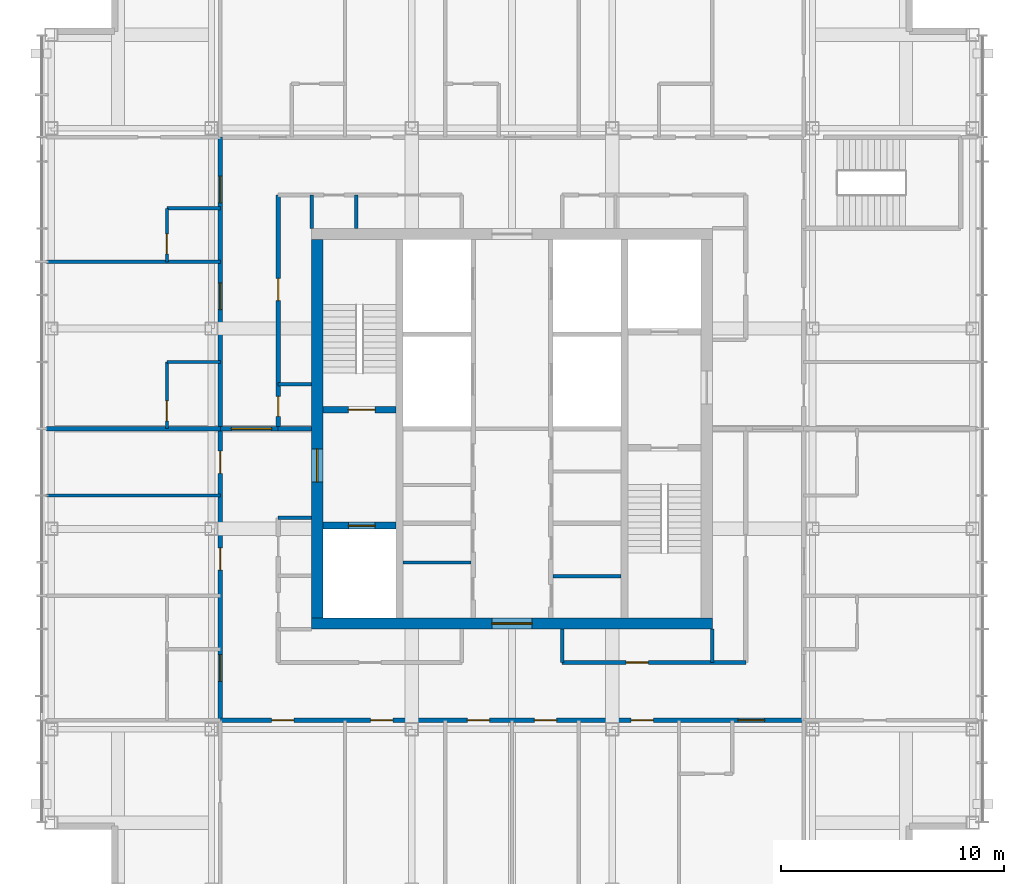
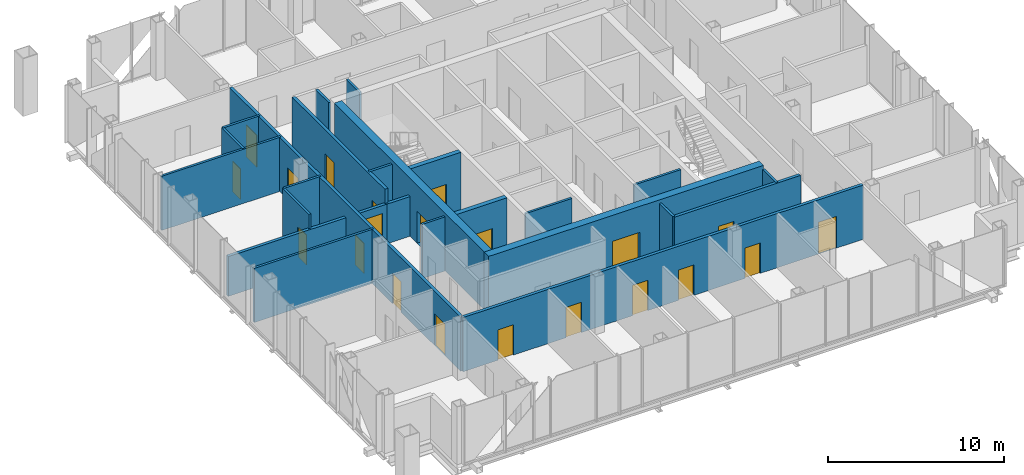
# One storey, part 8 of 16: 25 walls, 21 doors, 21 openings.
"""IFC4 building model written with IfcOpenShell, lengths in metres."""

from ifc_helpers import new_model, si_unit, direction, frame, frame_2d, origin, place, context, subcontext, project, spatial, rectangle, extrude, material, layer, layer_set, type_object, element, fill, save


model = new_model("IFC4")

# Units and contexts
model_context = context("Model", 3, precision=1e-05, world=origin(), true_north=direction((0.0, 1.0)))
body_context = subcontext(model_context, "Body", "Model", "MODEL_VIEW")
ifc_project = project(units=[si_unit("LENGTHUNIT", "METRE"), si_unit("AREAUNIT", "SQUARE_METRE"), si_unit("VOLUMEUNIT", "CUBIC_METRE"), si_unit("PLANEANGLEUNIT", "RADIAN"), si_unit("MASSUNIT", "GRAM", prefix="KILO")], contexts=[model_context])

# Site, building, storey
site_placement = place(None, origin())
site = spatial("IfcSite", under=ifc_project, at=site_placement, CompositionType="ELEMENT")
building_placement = place(site_placement, origin())
building = spatial("IfcBuilding", under=site, at=building_placement, Name="Malebo Sky Hospital", CompositionType="ELEMENT")
storey_placement = place(building_placement, frame((0.0, 0.0, 254.0)))
storey = spatial("IfcBuildingStorey", under=building, at=storey_placement, Name="L61", CompositionType="ELEMENT", Elevation=254.0)

# Wall, opening, door
ifc_material_1 = material(Name="Concrete C80/95", Category="concrete")
ifc_layer_1 = layer(ifc_material_1, 0.300048828125)
ifc_layer_set_1 = layer_set([ifc_layer_1], Name="CORE INNER WALL 300")
wall_type_1 = type_object("IfcWallType", Name="CORE INNER WALL 300", PredefinedType="SHEAR", material=ifc_layer_set_1)
wall_1_placement = place(storey_placement, frame((51.5, 62.85009765625, 0.0), z_axis=(0.0, 0.0, 1.0), x_axis=(1.0, 0.0, 0.0)))
wall_1 = element("IfcWall", 1, at=wall_1_placement, inside=storey, type_object=wall_type_1, Name="Core wall W1 L61", PredefinedType="SHEAR", context=body_context, shape_type="SweptSolid", body=[
    extrude(rectangle(XDim=3.300048828125, YDim=0.300048828125, at=frame_2d((1.64990234375, 0.0))), origin(), (0.0, 0.0, 1.0), 4.0),
])
opening_1_placement = place(wall_1_placement, frame((1.14990234375, 0.0, 0.0)))
opening_1 = element("IfcOpeningElement", 2, at=opening_1_placement, cuts=wall_1, Name="Opening D08", PredefinedType="OPENING", context=body_context, shape_type="SweptSolid", body=[
    extrude(rectangle(XDim=1.199951171875, YDim=2.10009765625, at=frame_2d((0.60009765625, 1.050048828125))), frame((0.0, 0.159912109375, 0.0), z_axis=(0.0, -1.0, 0.0), x_axis=(1.0, 0.0, 0.0)), (0.0, 0.0, 1.0), 0.320068359375),
])
ifc_material_2 = material(Name="Hardwood-faced door leaf in steel frame", Category="steel")
door_type_1 = type_object("IfcDoorType", Name="STAIR DOOR 1200", OperationType="SINGLE_SWING_LEFT", PredefinedType="DOOR", material=ifc_material_2)
door_1_placement = place(opening_1_placement, origin())
door_1 = element("IfcDoor", 3, at=door_1_placement, inside=storey, type_object=door_type_1, Name="Stair S1 door", OperationType="SINGLE_SWING_RIGHT", OverallHeight=2.10009765625, OverallWidth=1.199951171875, PredefinedType="DOOR", context=body_context, shape_type="SweptSolid", body=[
    extrude(rectangle(XDim=1.199951171875, YDim=2.10009765625, at=frame_2d((0.60009765625, 1.050048828125))), frame((0.0, 0.02490234375, 0.0), z_axis=(0.0, -1.0, 0.0), x_axis=(1.0, 0.0, 0.0)), (0.0, 0.0, 1.0), 0.050048828125),
])
fill(opening_1, door_1)

wall_2_placement = place(storey_placement, frame((51.5, 57.64990234375, 0.0), z_axis=(0.0, 0.0, 1.0), x_axis=(1.0, 0.0, 0.0)))
wall_2 = element("IfcWall", 4, at=wall_2_placement, inside=storey, type_object=wall_type_1, Name="Core wall W2 L61", PredefinedType="SHEAR", context=body_context, shape_type="SweptSolid", body=[
    extrude(rectangle(XDim=3.300048828125, YDim=0.300048828125, at=frame_2d((1.64990234375, 0.0))), origin(), (0.0, 0.0, 1.0), 4.0),
])
opening_2_placement = place(wall_2_placement, frame((1.14990234375, 0.0, 0.0)))
opening_2 = element("IfcOpeningElement", 5, at=opening_2_placement, cuts=wall_2, Name="Opening LD2", PredefinedType="OPENING", context=body_context, shape_type="SweptSolid", body=[
    extrude(rectangle(XDim=1.199951171875, YDim=2.199951171875, at=frame_2d((0.60009765625, 1.10009765625))), frame((0.0, 0.159912109375, 0.0), z_axis=(0.0, -1.0, 0.0), x_axis=(1.0, 0.0, 0.0)), (0.0, 0.0, 1.0), 0.320068359375),
])
ifc_material_3 = material(Name="Stainless steel sliding landing door", Category="steel")
door_type_2 = type_object("IfcDoorType", Name="FIRE-FIGHTING LIFT LANDING DOOR 1200", OperationType="SLIDING_TO_LEFT", PredefinedType="DOOR", material=ifc_material_3)
door_2_placement = place(opening_2_placement, origin())
door_2 = element("IfcDoor", 6, at=door_2_placement, inside=storey, type_object=door_type_2, Name="Lift FL1 landing door", OperationType="SLIDING_TO_LEFT", OverallHeight=2.199951171875, OverallWidth=1.199951171875, PredefinedType="DOOR", context=body_context, shape_type="SweptSolid", body=[
    extrude(rectangle(XDim=1.199951171875, YDim=2.199951171875, at=frame_2d((0.60009765625, 1.10009765625))), frame((0.0, 0.02490234375, 0.0), z_axis=(0.0, -1.0, 0.0), x_axis=(1.0, 0.0, 0.0)), (0.0, 0.0, 1.0), 0.050048828125),
])
fill(opening_2, door_2)

ifc_layer_2 = layer(ifc_material_1, 0.5)
ifc_layer_set_2 = layer_set([ifc_layer_2], Name="CORE WALL 500")
wall_type_2 = type_object("IfcWallType", Name="CORE WALL 500", PredefinedType="SHEAR", material=ifc_layer_set_2)
wall_3_placement = place(storey_placement, frame((51.0, 53.25, 0.0), z_axis=(0.0, 0.0, 1.0), x_axis=(1.0, 0.0, 0.0)))
wall_3 = element("IfcWall", 7, at=wall_3_placement, inside=storey, type_object=wall_type_2, Name="Core wall S L61", PredefinedType="SHEAR", context=body_context, shape_type="SweptSolid", body=[
    extrude(rectangle(XDim=18.0, YDim=0.5, at=frame_2d((9.0, 0.0))), origin(), (0.0, 0.0, 1.0), 4.0),
])
opening_3_placement = place(wall_3_placement, frame((8.10009765625, 0.0, 0.0)))
opening_3 = element("IfcOpeningElement", 8, at=opening_3_placement, cuts=wall_3, Name="Opening D06", PredefinedType="OPENING", context=body_context, shape_type="SweptSolid", body=[
    extrude(rectangle(XDim=1.800048828125, YDim=2.199951171875, at=frame_2d((0.89990234375, 1.10009765625))), frame((0.0, 0.260009765625, 0.0), z_axis=(0.0, -1.0, 0.0), x_axis=(1.0, 0.0, 0.0)), (0.0, 0.0, 1.0), 0.52001953125),
])
door_type_3 = type_object("IfcDoorType", Name="LOBBY DOOR PAIR 1800", OperationType="DOUBLE_DOOR_SINGLE_SWING", PredefinedType="DOOR", material=ifc_material_2)
door_3_placement = place(opening_3_placement, origin())
door_3 = element("IfcDoor", 9, at=door_3_placement, inside=storey, type_object=door_type_3, Name="Service lobby door south", OperationType="DOUBLE_DOOR_SINGLE_SWING", OverallHeight=2.199951171875, OverallWidth=1.800048828125, PredefinedType="DOOR", context=body_context, shape_type="SweptSolid", body=[
    extrude(rectangle(XDim=1.800048828125, YDim=2.199951171875, at=frame_2d((0.89990234375, 1.10009765625))), frame((0.0, 0.02490234375, 0.0), z_axis=(0.0, -1.0, 0.0), x_axis=(1.0, 0.0, 0.0)), (0.0, 0.0, 1.0), 0.050048828125),
])
fill(opening_3, door_3)

wall_4_placement = place(storey_placement, frame((51.25, 53.5, 0.0), z_axis=(0.0, 0.0, 1.0), x_axis=(0.0, 1.0, 0.0)))
wall_4 = element("IfcWall", 10, at=wall_4_placement, inside=storey, type_object=wall_type_2, Name="Core wall W L61", PredefinedType="SHEAR", context=body_context, shape_type="SweptSolid", body=[
    extrude(rectangle(XDim=17.0, YDim=0.5, at=frame_2d((8.5, 0.0))), origin(), (0.0, 0.0, 1.0), 4.0),
])
opening_4_placement = place(wall_4_placement, frame((6.10009765625, 0.0, 0.0)))
opening_4 = element("IfcOpeningElement", 11, at=opening_4_placement, cuts=wall_4, Name="Opening D07", PredefinedType="OPENING", context=body_context, shape_type="SweptSolid", body=[
    extrude(rectangle(XDim=1.5, YDim=2.199951171875, at=frame_2d((0.75, 1.10009765625))), frame((0.0, 0.260009765625, 0.0), z_axis=(0.0, -1.0, 0.0), x_axis=(1.0, 0.0, 0.0)), (0.0, 0.0, 1.0), 0.52001953125),
])
door_type_4 = type_object("IfcDoorType", Name="FIRE-FIGHTING LOBBY DOOR PAIR 1500", OperationType="DOUBLE_DOOR_SINGLE_SWING", PredefinedType="DOOR", material=ifc_material_2)
door_4_placement = place(opening_4_placement, origin())
door_4 = element("IfcDoor", 12, at=door_4_placement, inside=storey, type_object=door_type_4, Name="Fire-fighting lobby door west", OperationType="DOUBLE_DOOR_SINGLE_SWING", OverallHeight=2.199951171875, OverallWidth=1.5, PredefinedType="DOOR", context=body_context, shape_type="SweptSolid", body=[
    extrude(rectangle(XDim=1.5, YDim=2.199951171875, at=frame_2d((0.75, 1.10009765625))), frame((0.0, 0.02490234375, 0.0), z_axis=(0.0, -1.0, 0.0), x_axis=(1.0, 0.0, 0.0)), (0.0, 0.0, 1.0), 0.050048828125),
])
fill(opening_4, door_4)

# Wall, openings, doors
ifc_material_4 = material(Name="Gypsum board on steel studs", Category="steel")
ifc_layer_3 = layer(ifc_material_4, 0.199951171875)
ifc_layer_set_3 = layer_set([ifc_layer_3], Name="CORRIDOR WALL 200")
wall_type_3 = type_object("IfcWallType", Name="CORRIDOR WALL 200", PredefinedType="PARTITIONING", material=ifc_layer_set_3)
wall_5_placement = place(storey_placement, frame((46.89990234375, 48.89990234375, 0.0), z_axis=(0.0, 0.0, 1.0), x_axis=(0.0, 1.0, 0.0)))
wall_5 = element("IfcWall", 13, at=wall_5_placement, inside=storey, type_object=wall_type_3, Name="Corridor Wall 200 WCO", PredefinedType="PARTITIONING", context=body_context, shape_type="SweptSolid", body=[
    extrude(rectangle(XDim=26.2001953125, YDim=0.199951171875, at=frame_2d((13.10009765625, 0.0))), origin(), (0.0, 0.0, 1.0), 3.75),
])
opening_5_placement = place(wall_5_placement, frame((1.75, 0.0, 0.0)))
opening_5 = element("IfcOpeningElement", 14, at=opening_5_placement, cuts=wall_5, Name="Opening D18", PredefinedType="OPENING", context=body_context, shape_type="SweptSolid", body=[
    extrude(rectangle(XDim=1.199951171875, YDim=2.199951171875, at=frame_2d((0.60009765625, 1.10009765625))), frame((0.0, 0.10986328125, 0.0), z_axis=(0.0, -1.0, 0.0), x_axis=(1.0, 0.0, 0.0)), (0.0, 0.0, 1.0), 0.219970703125),
])
opening_6_placement = place(wall_5_placement, frame((6.75, 0.0, 0.0)))
opening_6 = element("IfcOpeningElement", 15, at=opening_6_placement, cuts=wall_5, Name="Opening D03", PredefinedType="OPENING", context=body_context, shape_type="SweptSolid", body=[
    extrude(rectangle(XDim=1.0, YDim=2.10009765625, at=frame_2d((0.5, 1.050048828125))), frame((0.0, 0.10986328125, 0.0), z_axis=(0.0, -1.0, 0.0), x_axis=(1.0, 0.0, 0.0)), (0.0, 0.0, 1.0), 0.219970703125),
])
opening_7_placement = place(wall_5_placement, frame((11.10009765625, 0.0, 0.0)))
opening_7 = element("IfcOpeningElement", 16, at=opening_7_placement, cuts=wall_5, Name="Opening D03", PredefinedType="OPENING", context=body_context, shape_type="SweptSolid", body=[
    extrude(rectangle(XDim=1.0, YDim=2.10009765625, at=frame_2d((0.5, 1.050048828125))), frame((0.0, 0.10986328125, 0.0), z_axis=(0.0, -1.0, 0.0), x_axis=(1.0, 0.0, 0.0)), (0.0, 0.0, 1.0), 0.219970703125),
])
opening_8_placement = place(wall_5_placement, frame((18.449951171875, 0.0, 0.0)))
opening_8 = element("IfcOpeningElement", 17, at=opening_8_placement, cuts=wall_5, Name="Opening D01", PredefinedType="OPENING", context=body_context, shape_type="SweptSolid", body=[
    extrude(rectangle(XDim=1.199951171875, YDim=2.199951171875, at=frame_2d((0.60009765625, 1.10009765625))), frame((0.0, 0.10986328125, 0.0), z_axis=(0.0, -1.0, 0.0), x_axis=(1.0, 0.0, 0.0)), (0.0, 0.0, 1.0), 0.219970703125),
])
opening_9_placement = place(wall_5_placement, frame((23.25, 0.0, 0.0)))
opening_9 = element("IfcOpeningElement", 18, at=opening_9_placement, cuts=wall_5, Name="Opening D01", PredefinedType="OPENING", context=body_context, shape_type="SweptSolid", body=[
    extrude(rectangle(XDim=1.199951171875, YDim=2.199951171875, at=frame_2d((0.60009765625, 1.10009765625))), frame((0.0, 0.10986328125, 0.0), z_axis=(0.0, -1.0, 0.0), x_axis=(1.0, 0.0, 0.0)), (0.0, 0.0, 1.0), 0.219970703125),
])
door_type_5 = type_object("IfcDoorType", Name="ANTEROOM DOOR 1200", OperationType="SINGLE_SWING_LEFT", PredefinedType="DOOR", material=ifc_material_2)
door_5_placement = place(opening_5_placement, origin())
door_5 = element("IfcDoor", 19, at=door_5_placement, inside=storey, type_object=door_type_5, Name="Anteroom door", OperationType="SINGLE_SWING_RIGHT", OverallHeight=2.199951171875, OverallWidth=1.199951171875, PredefinedType="DOOR", context=body_context, shape_type="SweptSolid", body=[
    extrude(rectangle(XDim=1.199951171875, YDim=2.199951171875, at=frame_2d((0.60009765625, 1.10009765625))), frame((0.0, 0.02490234375, 0.0), z_axis=(0.0, -1.0, 0.0), x_axis=(1.0, 0.0, 0.0)), (0.0, 0.0, 1.0), 0.050048828125),
])
fill(opening_5, door_5)
door_type_6 = type_object("IfcDoorType", Name="BED DOOR 1200", OperationType="SINGLE_SWING_LEFT", PredefinedType="DOOR", material=ifc_material_2)
door_6_placement = place(opening_8_placement, origin())
door_6 = element("IfcDoor", 20, at=door_6_placement, inside=storey, type_object=door_type_6, Name="Two-bed room door", OperationType="SINGLE_SWING_RIGHT", OverallHeight=2.199951171875, OverallWidth=1.199951171875, PredefinedType="DOOR", context=body_context, shape_type="SweptSolid", body=[
    extrude(rectangle(XDim=1.199951171875, YDim=2.199951171875, at=frame_2d((0.60009765625, 1.10009765625))), frame((0.0, 0.02490234375, 0.0), z_axis=(0.0, -1.0, 0.0), x_axis=(1.0, 0.0, 0.0)), (0.0, 0.0, 1.0), 0.050048828125),
])
fill(opening_8, door_6)
door_7_placement = place(opening_9_placement, origin())
door_7 = element("IfcDoor", 21, at=door_7_placement, inside=storey, type_object=door_type_6, Name="Day treatment bay door", OperationType="SINGLE_SWING_LEFT", OverallHeight=2.199951171875, OverallWidth=1.199951171875, PredefinedType="DOOR", context=body_context, shape_type="SweptSolid", body=[
    extrude(rectangle(XDim=1.199951171875, YDim=2.199951171875, at=frame_2d((0.60009765625, 1.10009765625))), frame((0.0, 0.02490234375, 0.0), z_axis=(0.0, -1.0, 0.0), x_axis=(1.0, 0.0, 0.0)), (0.0, 0.0, 1.0), 0.050048828125),
])
fill(opening_9, door_7)
door_type_7 = type_object("IfcDoorType", Name="ROOM DOOR 1000", OperationType="SINGLE_SWING_LEFT", PredefinedType="DOOR", material=ifc_material_2)
door_8_placement = place(opening_6_placement, origin())
door_8 = element("IfcDoor", 22, at=door_8_placement, inside=storey, type_object=door_type_7, Name="Treatment room door", OperationType="SINGLE_SWING_LEFT", OverallHeight=2.10009765625, OverallWidth=1.0, PredefinedType="DOOR", context=body_context, shape_type="SweptSolid", body=[
    extrude(rectangle(XDim=1.0, YDim=2.10009765625, at=frame_2d((0.5, 1.050048828125))), frame((0.0, 0.02490234375, 0.0), z_axis=(0.0, -1.0, 0.0), x_axis=(1.0, 0.0, 0.0)), (0.0, 0.0, 1.0), 0.050048828125),
])
fill(opening_6, door_8)
door_9_placement = place(opening_7_placement, origin())
door_9 = element("IfcDoor", 23, at=door_9_placement, inside=storey, type_object=door_type_7, Name="Medication room door", OperationType="SINGLE_SWING_RIGHT", OverallHeight=2.10009765625, OverallWidth=1.0, PredefinedType="DOOR", context=body_context, shape_type="SweptSolid", body=[
    extrude(rectangle(XDim=1.0, YDim=2.10009765625, at=frame_2d((0.5, 1.050048828125))), frame((0.0, 0.02490234375, 0.0), z_axis=(0.0, -1.0, 0.0), x_axis=(1.0, 0.0, 0.0)), (0.0, 0.0, 1.0), 0.050048828125),
])
fill(opening_7, door_9)

wall_6_placement = place(storey_placement, frame((49.5, 62.0, 0.0), z_axis=(0.0, 0.0, 1.0), x_axis=(0.0, 1.0, 0.0)))
wall_6 = element("IfcWall", 24, at=wall_6_placement, inside=storey, type_object=wall_type_3, Name="Corridor Wall 200 WCI2", PredefinedType="PARTITIONING", context=body_context, shape_type="SweptSolid", body=[
    extrude(rectangle(XDim=10.5, YDim=0.199951171875, at=frame_2d((5.25, 0.0))), origin(), (0.0, 0.0, 1.0), 3.75),
])
opening_10_placement = place(wall_6_placement, frame((0.550048828125, 0.0, 0.0)))
opening_10 = element("IfcOpeningElement", 25, at=opening_10_placement, cuts=wall_6, Name="Opening D04", PredefinedType="OPENING", context=body_context, shape_type="SweptSolid", body=[
    extrude(rectangle(XDim=0.89990234375, YDim=2.10009765625, at=frame_2d((0.449951171875, 1.050048828125))), frame((0.0, 0.10986328125, 0.0), z_axis=(0.0, -1.0, 0.0), x_axis=(1.0, 0.0, 0.0)), (0.0, 0.0, 1.0), 0.219970703125),
])
opening_11_placement = place(wall_6_placement, frame((5.75, 0.0, 0.0)))
opening_11 = element("IfcOpeningElement", 26, at=opening_11_placement, cuts=wall_6, Name="Opening D03", PredefinedType="OPENING", context=body_context, shape_type="SweptSolid", body=[
    extrude(rectangle(XDim=1.0, YDim=2.10009765625, at=frame_2d((0.5, 1.050048828125))), frame((0.0, 0.10986328125, 0.0), z_axis=(0.0, -1.0, 0.0), x_axis=(1.0, 0.0, 0.0)), (0.0, 0.0, 1.0), 0.219970703125),
])
door_10_placement = place(opening_11_placement, origin())
door_10 = element("IfcDoor", 27, at=door_10_placement, inside=storey, type_object=door_type_7, Name="Patient property store door", OperationType="SINGLE_SWING_RIGHT", OverallHeight=2.10009765625, OverallWidth=1.0, PredefinedType="DOOR", context=body_context, shape_type="SweptSolid", body=[
    extrude(rectangle(XDim=1.0, YDim=2.10009765625, at=frame_2d((0.5, 1.050048828125))), frame((0.0, 0.02490234375, 0.0), z_axis=(0.0, -1.0, 0.0), x_axis=(1.0, 0.0, 0.0)), (0.0, 0.0, 1.0), 0.050048828125),
])
fill(opening_11, door_10)
door_type_8 = type_object("IfcDoorType", Name="ROOM DOOR 900", OperationType="SINGLE_SWING_LEFT", PredefinedType="DOOR", material=ifc_material_2)
door_11_placement = place(opening_10_placement, origin())
door_11 = element("IfcDoor", 28, at=door_11_placement, inside=storey, type_object=door_type_8, Name="Visitor WC door", OperationType="SINGLE_SWING_LEFT", OverallHeight=2.10009765625, OverallWidth=0.89990234375, PredefinedType="DOOR", context=body_context, shape_type="SweptSolid", body=[
    extrude(rectangle(XDim=0.89990234375, YDim=2.10009765625, at=frame_2d((0.449951171875, 1.050048828125))), frame((0.0, 0.02490234375, 0.0), z_axis=(0.0, -1.0, 0.0), x_axis=(1.0, 0.0, 0.0)), (0.0, 0.0, 1.0), 0.050048828125),
])
fill(opening_10, door_11)

wall_7_placement = place(storey_placement, frame((73.10009765625, 48.89990234375, 0.0), z_axis=(0.0, 0.0, 1.0), x_axis=(-1.0, 0.0, 0.0)))
wall_7 = element("IfcWall", 29, at=wall_7_placement, inside=storey, type_object=wall_type_3, Name="Corridor Wall 200 SCO", PredefinedType="PARTITIONING", context=body_context, shape_type="SweptSolid", body=[
    extrude(rectangle(XDim=26.2001953125, YDim=0.199951171875, at=frame_2d((13.10009765625, 0.0))), origin(), (0.0, 0.0, 1.0), 3.75),
])
opening_12_placement = place(wall_7_placement, frame((1.75, 0.0, 0.0)))
opening_12 = element("IfcOpeningElement", 30, at=opening_12_placement, cuts=wall_7, Name="Opening D01", PredefinedType="OPENING", context=body_context, shape_type="SweptSolid", body=[
    extrude(rectangle(XDim=1.199951171875, YDim=2.199951171875, at=frame_2d((0.60009765625, 1.10009765625))), frame((0.0, 0.10986328125, 0.0), z_axis=(0.0, -1.0, 0.0), x_axis=(1.0, 0.0, 0.0)), (0.0, 0.0, 1.0), 0.219970703125),
])
opening_13_placement = place(wall_7_placement, frame((6.75, 0.0, 0.0)))
opening_13 = element("IfcOpeningElement", 31, at=opening_13_placement, cuts=wall_7, Name="Opening D03", PredefinedType="OPENING", context=body_context, shape_type="SweptSolid", body=[
    extrude(rectangle(XDim=1.0, YDim=2.10009765625, at=frame_2d((0.5, 1.050048828125))), frame((0.0, 0.10986328125, 0.0), z_axis=(0.0, -1.0, 0.0), x_axis=(1.0, 0.0, 0.0)), (0.0, 0.0, 1.0), 0.219970703125),
])
opening_14_placement = place(wall_7_placement, frame((11.10009765625, 0.0, 0.0)))
opening_14 = element("IfcOpeningElement", 32, at=opening_14_placement, cuts=wall_7, Name="Opening D03", PredefinedType="OPENING", context=body_context, shape_type="SweptSolid", body=[
    extrude(rectangle(XDim=1.0, YDim=2.10009765625, at=frame_2d((0.5, 1.050048828125))), frame((0.0, 0.10986328125, 0.0), z_axis=(0.0, -1.0, 0.0), x_axis=(1.0, 0.0, 0.0)), (0.0, 0.0, 1.0), 0.219970703125),
])
opening_15_placement = place(wall_7_placement, frame((14.10009765625, 0.0, 0.0)))
opening_15 = element("IfcOpeningElement", 33, at=opening_15_placement, cuts=wall_7, Name="Opening D03", PredefinedType="OPENING", context=body_context, shape_type="SweptSolid", body=[
    extrude(rectangle(XDim=1.0, YDim=2.10009765625, at=frame_2d((0.5, 1.050048828125))), frame((0.0, 0.10986328125, 0.0), z_axis=(0.0, -1.0, 0.0), x_axis=(1.0, 0.0, 0.0)), (0.0, 0.0, 1.0), 0.219970703125),
])
opening_16_placement = place(wall_7_placement, frame((18.449951171875, 0.0, 0.0)))
opening_16 = element("IfcOpeningElement", 34, at=opening_16_placement, cuts=wall_7, Name="Opening D03", PredefinedType="OPENING", context=body_context, shape_type="SweptSolid", body=[
    extrude(rectangle(XDim=1.0, YDim=2.10009765625, at=frame_2d((0.5, 1.050048828125))), frame((0.0, 0.10986328125, 0.0), z_axis=(0.0, -1.0, 0.0), x_axis=(1.0, 0.0, 0.0)), (0.0, 0.0, 1.0), 0.219970703125),
])
opening_17_placement = place(wall_7_placement, frame((22.89990234375, 0.0, 0.0)))
opening_17 = element("IfcOpeningElement", 35, at=opening_17_placement, cuts=wall_7, Name="Opening D03", PredefinedType="OPENING", context=body_context, shape_type="SweptSolid", body=[
    extrude(rectangle(XDim=1.0, YDim=2.10009765625, at=frame_2d((0.5, 1.050048828125))), frame((0.0, 0.10986328125, 0.0), z_axis=(0.0, -1.0, 0.0), x_axis=(1.0, 0.0, 0.0)), (0.0, 0.0, 1.0), 0.219970703125),
])
door_12_placement = place(opening_12_placement, origin())
door_12 = element("IfcDoor", 36, at=door_12_placement, inside=storey, type_object=door_type_6, Name="Single bed room door", OperationType="SINGLE_SWING_RIGHT", OverallHeight=2.199951171875, OverallWidth=1.199951171875, PredefinedType="DOOR", context=body_context, shape_type="SweptSolid", body=[
    extrude(rectangle(XDim=1.199951171875, YDim=2.199951171875, at=frame_2d((0.60009765625, 1.10009765625))), frame((0.0, 0.02490234375, 0.0), z_axis=(0.0, -1.0, 0.0), x_axis=(1.0, 0.0, 0.0)), (0.0, 0.0, 1.0), 0.050048828125),
])
fill(opening_12, door_12)
door_13_placement = place(opening_13_placement, origin())
door_13 = element("IfcDoor", 37, at=door_13_placement, inside=storey, type_object=door_type_7, Name="Clean utility room door", OperationType="SINGLE_SWING_LEFT", OverallHeight=2.10009765625, OverallWidth=1.0, PredefinedType="DOOR", context=body_context, shape_type="SweptSolid", body=[
    extrude(rectangle(XDim=1.0, YDim=2.10009765625, at=frame_2d((0.5, 1.050048828125))), frame((0.0, 0.02490234375, 0.0), z_axis=(0.0, -1.0, 0.0), x_axis=(1.0, 0.0, 0.0)), (0.0, 0.0, 1.0), 0.050048828125),
])
fill(opening_13, door_13)
door_14_placement = place(opening_14_placement, origin())
door_14 = element("IfcDoor", 38, at=door_14_placement, inside=storey, type_object=door_type_7, Name="Dirty utility room door", OperationType="SINGLE_SWING_LEFT", OverallHeight=2.10009765625, OverallWidth=1.0, PredefinedType="DOOR", context=body_context, shape_type="SweptSolid", body=[
    extrude(rectangle(XDim=1.0, YDim=2.10009765625, at=frame_2d((0.5, 1.050048828125))), frame((0.0, 0.02490234375, 0.0), z_axis=(0.0, -1.0, 0.0), x_axis=(1.0, 0.0, 0.0)), (0.0, 0.0, 1.0), 0.050048828125),
])
fill(opening_14, door_14)
door_15_placement = place(opening_15_placement, origin())
door_15 = element("IfcDoor", 39, at=door_15_placement, inside=storey, type_object=door_type_7, Name="Ward pantry door", OperationType="SINGLE_SWING_LEFT", OverallHeight=2.10009765625, OverallWidth=1.0, PredefinedType="DOOR", context=body_context, shape_type="SweptSolid", body=[
    extrude(rectangle(XDim=1.0, YDim=2.10009765625, at=frame_2d((0.5, 1.050048828125))), frame((0.0, 0.02490234375, 0.0), z_axis=(0.0, -1.0, 0.0), x_axis=(1.0, 0.0, 0.0)), (0.0, 0.0, 1.0), 0.050048828125),
])
fill(opening_15, door_15)
door_16_placement = place(opening_16_placement, origin())
door_16 = element("IfcDoor", 40, at=door_16_placement, inside=storey, type_object=door_type_7, Name="Equipment store door", OperationType="SINGLE_SWING_RIGHT", OverallHeight=2.10009765625, OverallWidth=1.0, PredefinedType="DOOR", context=body_context, shape_type="SweptSolid", body=[
    extrude(rectangle(XDim=1.0, YDim=2.10009765625, at=frame_2d((0.5, 1.050048828125))), frame((0.0, 0.02490234375, 0.0), z_axis=(0.0, -1.0, 0.0), x_axis=(1.0, 0.0, 0.0)), (0.0, 0.0, 1.0), 0.050048828125),
])
fill(opening_16, door_16)
door_17_placement = place(opening_17_placement, origin())
door_17 = element("IfcDoor", 41, at=door_17_placement, inside=storey, type_object=door_type_7, Name="Patient day room door", OperationType="SINGLE_SWING_RIGHT", OverallHeight=2.10009765625, OverallWidth=1.0, PredefinedType="DOOR", context=body_context, shape_type="SweptSolid", body=[
    extrude(rectangle(XDim=1.0, YDim=2.10009765625, at=frame_2d((0.5, 1.050048828125))), frame((0.0, 0.02490234375, 0.0), z_axis=(0.0, -1.0, 0.0), x_axis=(1.0, 0.0, 0.0)), (0.0, 0.0, 1.0), 0.050048828125),
])
fill(opening_17, door_17)

# Wall, opening, door
wall_8_placement = place(storey_placement, frame((70.5, 51.5, 0.0), z_axis=(0.0, 0.0, 1.0), x_axis=(-1.0, 0.0, 0.0)))
wall_8 = element("IfcWall", 42, at=wall_8_placement, inside=storey, type_object=wall_type_3, Name="Corridor Wall 200 SCI1", PredefinedType="PARTITIONING", context=body_context, shape_type="SweptSolid", body=[
    extrude(rectangle(XDim=8.25, YDim=0.199951171875, at=frame_2d((4.125, 0.0))), origin(), (0.0, 0.0, 1.0), 3.75),
])
opening_18_placement = place(wall_8_placement, frame((4.375, 0.0, 0.0)))
opening_18 = element("IfcOpeningElement", 43, at=opening_18_placement, cuts=wall_8, Name="Opening D03", PredefinedType="OPENING", context=body_context, shape_type="SweptSolid", body=[
    extrude(rectangle(XDim=1.0, YDim=2.10009765625, at=frame_2d((0.5, 1.050048828125))), frame((0.0, 0.10986328125, 0.0), z_axis=(0.0, -1.0, 0.0), x_axis=(1.0, 0.0, 0.0)), (0.0, 0.0, 1.0), 0.219970703125),
])
door_18_placement = place(opening_18_placement, origin())
door_18 = element("IfcDoor", 44, at=door_18_placement, inside=storey, type_object=door_type_7, Name="Chemotherapy spill kit store door", OperationType="SINGLE_SWING_LEFT", OverallHeight=2.10009765625, OverallWidth=1.0, PredefinedType="DOOR", context=body_context, shape_type="SweptSolid", body=[
    extrude(rectangle(XDim=1.0, YDim=2.10009765625, at=frame_2d((0.5, 1.050048828125))), frame((0.0, 0.02490234375, 0.0), z_axis=(0.0, -1.0, 0.0), x_axis=(1.0, 0.0, 0.0)), (0.0, 0.0, 1.0), 0.050048828125),
])
fill(opening_18, door_18)

# Walls
ifc_layer_4 = layer(ifc_material_4, 0.14990234375)
ifc_layer_set_4 = layer_set([ifc_layer_4], Name="PARTITION 150")
wall_type_4 = type_object("IfcWallType", Name="PARTITION 150", PredefinedType="PARTITIONING", material=ifc_layer_set_4)
for number, where, z_axis, x_axis, name in (
    (45, (51.0, 71.0, 0.0), (0.0, 0.0, 1.0), (0.0, 1.0, 0.0), "Partition 150 NSP0"),
    (46, (53.0, 71.0, 0.0), (0.0, 0.0, 1.0), (0.0, 1.0, 0.0), "Partition 150 NSP-7.0"),
):
    element("IfcWall", number, at=place(storey_placement, frame(where, z_axis=z_axis, x_axis=x_axis)), inside=storey, type_object=wall_type_4, Name=name, PredefinedType="PARTITIONING", context=body_context, shape_type="SweptSolid", body=[
        extrude(rectangle(XDim=1.5, YDim=0.14990234375, at=frame_2d((0.75, 0.0))), origin(), (0.0, 0.0, 1.0), 3.75),
    ])
for number, where, z_axis, x_axis, name in (
    (47, (46.89990234375, 59.0, 0.0), (0.0, 0.0, 1.0), (-1.0, 0.0, 0.0), "Partition 150 WP-3.0"),
    (48, (46.89990234375, 69.5, 0.0), (0.0, 0.0, 1.0), (-1.0, 0.0, 0.0), "Partition 150 WP+7.5"),
):
    element("IfcWall", number, at=place(storey_placement, frame(where, z_axis=z_axis, x_axis=x_axis)), inside=storey, type_object=wall_type_4, Name=name, PredefinedType="PARTITIONING", context=body_context, shape_type="SweptSolid", body=[
        extrude(rectangle(XDim=7.7998046875, YDim=0.14990234375, at=frame_2d((3.89990234375, 0.0))), origin(), (0.0, 0.0, 1.0), 3.75),
    ])

# Wall, opening, door
wall_9_placement = place(storey_placement, frame((44.5, 62.0, 0.0), z_axis=(0.0, 0.0, 1.0), x_axis=(0.0, 1.0, 0.0)))
wall_9 = element("IfcWall", 49, at=wall_9_placement, inside=storey, type_object=wall_type_4, Name="Partition 150 WE3F", PredefinedType="PARTITIONING", context=body_context, shape_type="SweptSolid", body=[
    extrude(rectangle(XDim=3.0, YDim=0.14990234375, at=frame_2d((1.5, 0.0))), origin(), (0.0, 0.0, 1.0), 3.75),
])
opening_19_placement = place(wall_9_placement, frame((0.35009765625, 0.0, 0.0)))
opening_19 = element("IfcOpeningElement", 50, at=opening_19_placement, cuts=wall_9, Name="Opening D02", PredefinedType="OPENING", context=body_context, shape_type="SweptSolid", body=[
    extrude(rectangle(XDim=0.89990234375, YDim=2.10009765625, at=frame_2d((0.449951171875, 1.050048828125))), frame((0.0, 0.0849609375, 0.0), z_axis=(0.0, -1.0, 0.0), x_axis=(1.0, 0.0, 0.0)), (0.0, 0.0, 1.0), 0.169921875),
])
door_type_9 = type_object("IfcDoorType", Name="EN-SUITE DOOR 900", OperationType="SINGLE_SWING_LEFT", PredefinedType="DOOR", material=ifc_material_2)
door_19_placement = place(opening_19_placement, origin())
door_19 = element("IfcDoor", 51, at=door_19_placement, inside=storey, type_object=door_type_9, Name="En-suite door", OperationType="SINGLE_SWING_LEFT", OverallHeight=2.10009765625, OverallWidth=0.89990234375, PredefinedType="DOOR", context=body_context, shape_type="SweptSolid", body=[
    extrude(rectangle(XDim=0.89990234375, YDim=2.10009765625, at=frame_2d((0.449951171875, 1.050048828125))), frame((0.0, 0.02490234375, 0.0), z_axis=(0.0, -1.0, 0.0), x_axis=(1.0, 0.0, 0.0)), (0.0, 0.0, 1.0), 0.050048828125),
])
fill(opening_19, door_19)

# Wall
wall_10_placement = place(storey_placement, frame((46.89990234375, 65.0, 0.0), z_axis=(0.0, 0.0, 1.0), x_axis=(-1.0, 0.0, 0.0)))
element("IfcWall", 52, at=wall_10_placement, inside=storey, type_object=wall_type_4, Name="Partition 150 WE3S", PredefinedType="PARTITIONING", context=body_context, shape_type="SweptSolid", body=[
    extrude(rectangle(XDim=2.39990234375, YDim=0.14990234375, at=frame_2d((1.199951171875, 0.0))), origin(), (0.0, 0.0, 1.0), 3.75),
])

# Wall, opening, door
wall_11_placement = place(storey_placement, frame((44.5, 69.5, 0.0), z_axis=(0.0, 0.0, 1.0), x_axis=(0.0, 1.0, 0.0)))
wall_11 = element("IfcWall", 53, at=wall_11_placement, inside=storey, type_object=wall_type_4, Name="Partition 150 WE4F", PredefinedType="PARTITIONING", context=body_context, shape_type="SweptSolid", body=[
    extrude(rectangle(XDim=2.39990234375, YDim=0.14990234375, at=frame_2d((1.199951171875, 0.0))), origin(), (0.0, 0.0, 1.0), 3.75),
])
opening_20_placement = place(wall_11_placement, frame((0.35009765625, 0.0, 0.0)))
opening_20 = element("IfcOpeningElement", 54, at=opening_20_placement, cuts=wall_11, Name="Opening D02", PredefinedType="OPENING", context=body_context, shape_type="SweptSolid", body=[
    extrude(rectangle(XDim=0.89990234375, YDim=2.10009765625, at=frame_2d((0.449951171875, 1.050048828125))), frame((0.0, 0.0849609375, 0.0), z_axis=(0.0, -1.0, 0.0), x_axis=(1.0, 0.0, 0.0)), (0.0, 0.0, 1.0), 0.169921875),
])
door_20_placement = place(opening_20_placement, origin())
door_20 = element("IfcDoor", 55, at=door_20_placement, inside=storey, type_object=door_type_9, Name="En-suite door", OperationType="SINGLE_SWING_LEFT", OverallHeight=2.10009765625, OverallWidth=0.89990234375, PredefinedType="DOOR", context=body_context, shape_type="SweptSolid", body=[
    extrude(rectangle(XDim=0.89990234375, YDim=2.10009765625, at=frame_2d((0.449951171875, 1.050048828125))), frame((0.0, 0.02490234375, 0.0), z_axis=(0.0, -1.0, 0.0), x_axis=(1.0, 0.0, 0.0)), (0.0, 0.0, 1.0), 0.050048828125),
])
fill(opening_20, door_20)

# Walls
wall_12_placement = place(storey_placement, frame((46.89990234375, 71.89990234375, 0.0), z_axis=(0.0, 0.0, 1.0), x_axis=(-1.0, 0.0, 0.0)))
element("IfcWall", 56, at=wall_12_placement, inside=storey, type_object=wall_type_4, Name="Partition 150 WE4S", PredefinedType="PARTITIONING", context=body_context, shape_type="SweptSolid", body=[
    extrude(rectangle(XDim=2.39990234375, YDim=0.14990234375, at=frame_2d((1.199951171875, 0.0))), origin(), (0.0, 0.0, 1.0), 3.75),
])
for number, where, z_axis, x_axis, name in (
    (57, (51.0, 58.0, 0.0), (0.0, 0.0, 1.0), (-1.0, 0.0, 0.0), "Partition 150 WSPA"),
    (58, (51.0, 64.0, 0.0), (0.0, 0.0, 1.0), (-1.0, 0.0, 0.0), "Partition 150 WSP+2.0"),
    (59, (69.0, 53.0, 0.0), (0.0, 0.0, 1.0), (0.0, -1.0, 0.0), "Partition 150 SSP0"),
    (60, (62.25, 53.0, 0.0), (0.0, 0.0, 1.0), (0.0, -1.0, 0.0), "Partition 150 SSPA"),
):
    element("IfcWall", number, at=place(storey_placement, frame(where, z_axis=z_axis, x_axis=x_axis)), inside=storey, type_object=wall_type_4, Name=name, PredefinedType="PARTITIONING", context=body_context, shape_type="SweptSolid", body=[
        extrude(rectangle(XDim=1.5, YDim=0.14990234375, at=frame_2d((0.75, 0.0))), origin(), (0.0, 0.0, 1.0), 3.75),
    ])
for number, where, z_axis, x_axis, name in (
    (61, (55.10009765625, 55.989990234375, 0.0), (0.0, 0.0, 1.0), (1.0, 0.0, 0.0), "Partition 150 SHW1"),
    (62, (61.85009765625, 55.366943359375, 0.0), (0.0, 0.0, 1.0), (1.0, 0.0, 0.0), "Partition 150 SHE1"),
):
    element("IfcWall", number, at=place(storey_placement, frame(where, z_axis=z_axis, x_axis=x_axis)), inside=storey, type_object=wall_type_4, Name=name, PredefinedType="PARTITIONING", context=body_context, shape_type="SweptSolid", body=[
        extrude(rectangle(XDim=3.0498046875, YDim=0.14990234375, at=frame_2d((1.52490234375, 0.0))), origin(), (0.0, 0.0, 1.0), 3.75),
    ])
ifc_material_5 = material(Name="Concrete blockwork", Category="masonry")
ifc_layer_5 = layer(ifc_material_5, 0.199951171875)
ifc_layer_set_5 = layer_set([ifc_layer_5], Name="SMOKE BARRIER WALL 200")
wall_type_5 = type_object("IfcWallType", Name="SMOKE BARRIER WALL 200", PredefinedType="SOLIDWALL", material=ifc_layer_set_5)
wall_13_placement = place(storey_placement, frame((46.89990234375, 62.0, 0.0), z_axis=(0.0, 0.0, 1.0), x_axis=(-1.0, 0.0, 0.0)))
element("IfcWall", 63, at=wall_13_placement, inside=storey, type_object=wall_type_5, Name="Smoke Barrier Wall 200 WP+0.0", PredefinedType="SOLIDWALL", context=body_context, shape_type="SweptSolid", body=[
    extrude(rectangle(XDim=7.7998046875, YDim=0.199951171875, at=frame_2d((3.89990234375, 0.0))), origin(), (0.0, 0.0, 1.0), 2.75),
])
wall_14_placement = place(storey_placement, frame((51.0, 62.0, 0.0), z_axis=(0.0, 0.0, 1.0), x_axis=(-1.0, 0.0, 0.0)))
element("IfcWall", 64, at=wall_14_placement, inside=storey, type_object=wall_type_5, Name="Smoke Barrier Wall 200 WSPB", PredefinedType="SOLIDWALL", context=body_context, shape_type="SweptSolid", body=[
    extrude(rectangle(XDim=1.5, YDim=0.199951171875, at=frame_2d((0.75, 0.0))), origin(), (0.0, 0.0, 1.0), 2.75),
])

# Wall, opening, door
wall_15_placement = place(storey_placement, frame((49.5, 62.0, 0.0), z_axis=(0.0, 0.0, 1.0), x_axis=(-1.0, 0.0, 0.0)))
wall_15 = element("IfcWall", 65, at=wall_15_placement, inside=storey, type_object=wall_type_5, Name="Smoke Barrier Wall 200 WSB", PredefinedType="SOLIDWALL", context=body_context, shape_type="SweptSolid", body=[
    extrude(rectangle(XDim=2.60009765625, YDim=0.199951171875, at=frame_2d((1.300048828125, 0.0))), origin(), (0.0, 0.0, 1.0), 2.75),
])
opening_21_placement = place(wall_15_placement, frame((0.300048828125, 0.0, 0.0)))
opening_21 = element("IfcOpeningElement", 66, at=opening_21_placement, cuts=wall_15, Name="Opening D05", PredefinedType="OPENING", context=body_context, shape_type="SweptSolid", body=[
    extrude(rectangle(XDim=1.800048828125, YDim=2.199951171875, at=frame_2d((0.89990234375, 1.10009765625))), frame((0.0, 0.10986328125, 0.0), z_axis=(0.0, -1.0, 0.0), x_axis=(1.0, 0.0, 0.0)), (0.0, 0.0, 1.0), 0.219970703125),
])
door_type_10 = type_object("IfcDoorType", Name="SMOKE DOOR PAIR 1800", OperationType="DOUBLE_DOOR_DOUBLE_SWING", PredefinedType="DOOR", material=ifc_material_2)
door_21_placement = place(opening_21_placement, origin())
door_21 = element("IfcDoor", 67, at=door_21_placement, inside=storey, type_object=door_type_10, Name="Smoke compartment door pair", OperationType="DOUBLE_DOOR_DOUBLE_SWING", OverallHeight=2.199951171875, OverallWidth=1.800048828125, PredefinedType="DOOR", context=body_context, shape_type="SweptSolid", body=[
    extrude(rectangle(XDim=1.800048828125, YDim=2.199951171875, at=frame_2d((0.89990234375, 1.10009765625))), frame((0.0, 0.02490234375, 0.0), z_axis=(0.0, -1.0, 0.0), x_axis=(1.0, 0.0, 0.0)), (0.0, 0.0, 1.0), 0.050048828125),
])
fill(opening_21, door_21)

save(model, "model.ifc")
